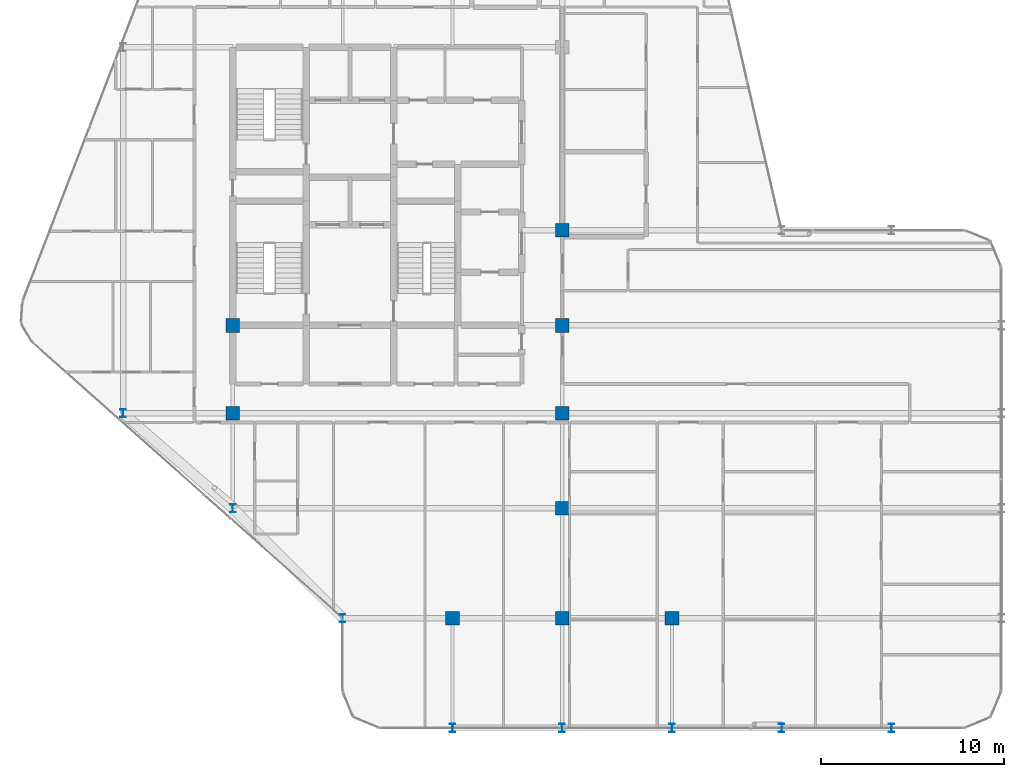
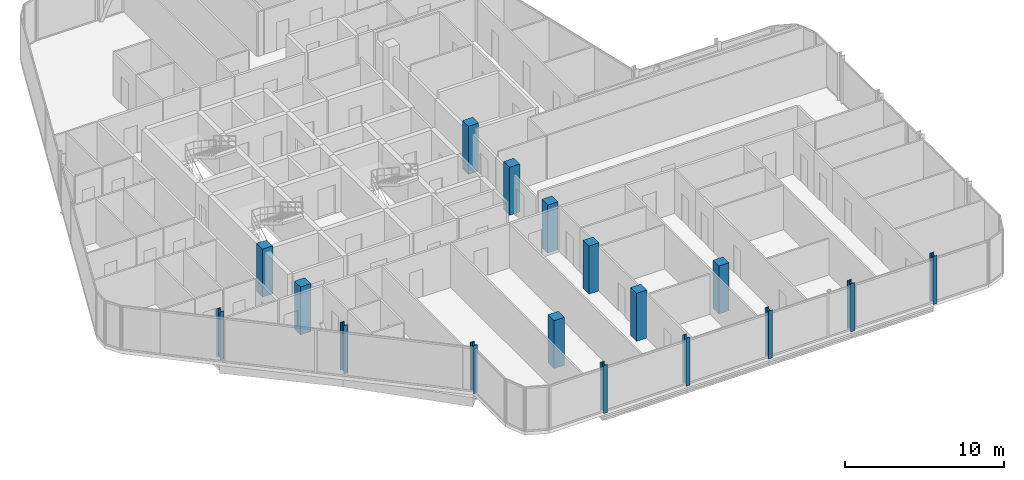
# One storey, part 1 of 29: 17 columns.
"""IFC4 building model written with IfcOpenShell, lengths in metres."""

from ifc_helpers import new_model, si_unit, direction, frame, origin, origin_2d, place, context, subcontext, project, spatial, rectangle, i_section, extrude, material, material_profile, profile_set, type_object, element, save


model = new_model("IFC4")

# Units and contexts
model_context = context("Model", 3, precision=1e-05, world=origin(), true_north=direction((0.0, 1.0)))
body_context = subcontext(model_context, "Body", "Model", "MODEL_VIEW")
ifc_project = project(units=[si_unit("LENGTHUNIT", "METRE"), si_unit("AREAUNIT", "SQUARE_METRE"), si_unit("VOLUMEUNIT", "CUBIC_METRE"), si_unit("PLANEANGLEUNIT", "RADIAN"), si_unit("MASSUNIT", "GRAM", prefix="KILO")], contexts=[model_context])

# Site, building, storey
site_placement = place(None, origin())
site = spatial("IfcSite", under=ifc_project, at=site_placement, CompositionType="ELEMENT")
building_placement = place(site_placement, origin())
building = spatial("IfcBuilding", under=site, at=building_placement, Name="Keshet Zoharim Tower", CompositionType="ELEMENT")
storey_placement = place(building_placement, frame((0.0, 0.0, 230.199951171875)))
storey = spatial("IfcBuildingStorey", under=building, at=storey_placement, Name="L57", CompositionType="ELEMENT", Elevation=230.199951171875)

# Columns
ifc_material_1 = material(Name="Steel S355", Category="steel")
ifc_material_profile_1 = material_profile(ifc_material_1, i_section(OverallWidth=0.300048828125, OverallDepth=0.449951171875, WebThickness=0.013916015625, FlangeThickness=0.02587890625, FilletRadius=0.027099609375, at=origin_2d()), Name="HEB450")
ifc_profile_set_1 = profile_set([ifc_material_profile_1], Name="Steel S355")
column_type_1 = type_object("IfcColumnType", Name="COL-HEB450", PredefinedType="COLUMN", material=ifc_profile_set_1)
for number, where, z_axis, x_axis, name in (
    (1, (9.0, 17.89990234375, 0.0), (0.0, 0.0, 1.0), (1.0, 0.0, 0.0), "L57 Column 2D"),
    (2, (15.0, 12.699951171875, 0.0), (0.0, 0.0, 1.0), (1.0, 0.0, 0.0), "L57 Column 3C"),
    (3, (21.0, 6.699951171875, 0.0), (0.0, 0.0, 1.0), (1.0, 0.0, 0.0), "L57 Column 4B"),
    (4, (27.0, 0.699951171875, 0.0), (0.0, 0.0, 1.0), (1.0, 0.0, 0.0), "L57 Column 5A"),
    (5, (33.0, 0.699951171875, 0.0), (0.0, 0.0, 1.0), (1.0, 0.0, 0.0), "L57 Column 6A"),
    (6, (39.0, 0.699951171875, 0.0), (0.0, 0.0, 1.0), (1.0, 0.0, 0.0), "L57 Column 7A"),
    (7, (45.0, 0.699951171875, 0.0), (0.0, 0.0, 1.0), (1.0, 0.0, 0.0), "L57 Column 8A"),
    (8, (51.0, 0.699951171875, 0.0), (0.0, 0.0, 1.0), (1.0, 0.0, 0.0), "L57 Column 9A"),
):
    element("IfcColumn", number, at=place(storey_placement, frame(where, z_axis=z_axis, x_axis=x_axis)), inside=storey, type_object=column_type_1, Name=name, PredefinedType="COLUMN", context=body_context, shape_type="SweptSolid", body=[
        extrude(i_section(OverallWidth=0.300048828125, OverallDepth=0.449951171875, WebThickness=0.013916015625, FlangeThickness=0.02587890625, FilletRadius=0.027099609375, at=origin_2d()), origin(), (0.0, 0.0, 1.0), 3.699951171875),
    ])
ifc_material_2 = material(Name="Concrete C50/60", Category="concrete")
ifc_material_profile_2 = material_profile(ifc_material_2, rectangle(XDim=0.75, YDim=0.75, at=origin_2d()), Name="RC750x750")
ifc_profile_set_2 = profile_set([ifc_material_profile_2], Name="Concrete C50/60")
column_type_2 = type_object("IfcColumnType", Name="COL-RC750", PredefinedType="COLUMN", material=ifc_profile_set_2)
for number, where, z_axis, x_axis, name in (
    (9, (15.0, 17.89990234375, 0.0), (0.0, 0.0, 1.0), (1.0, 0.0, 0.0), "L57 Column 3D"),
    (10, (15.0, 22.699951171875, 0.0), (0.0, 0.0, 1.0), (1.0, 0.0, 0.0), "L57 Column 3E"),
    (11, (27.0, 6.699951171875, 0.0), (0.0, 0.0, 1.0), (1.0, 0.0, 0.0), "L57 Column 5B"),
    (12, (33.0, 6.699951171875, 0.0), (0.0, 0.0, 1.0), (1.0, 0.0, 0.0), "L57 Column 6B"),
    (13, (33.0, 12.699951171875, 0.0), (0.0, 0.0, 1.0), (1.0, 0.0, 0.0), "L57 Column 6C"),
    (14, (33.0, 17.89990234375, 0.0), (0.0, 0.0, 1.0), (1.0, 0.0, 0.0), "L57 Column 6D"),
    (15, (33.0, 22.699951171875, 0.0), (0.0, 0.0, 1.0), (1.0, 0.0, 0.0), "L57 Column 6E"),
    (16, (33.0, 27.89990234375, 0.0), (0.0, 0.0, 1.0), (1.0, 0.0, 0.0), "L57 Column 6F"),
    (17, (39.0, 6.699951171875, 0.0), (0.0, 0.0, 1.0), (1.0, 0.0, 0.0), "L57 Column 7B"),
):
    element("IfcColumn", number, at=place(storey_placement, frame(where, z_axis=z_axis, x_axis=x_axis)), inside=storey, type_object=column_type_2, Name=name, PredefinedType="COLUMN", context=body_context, shape_type="SweptSolid", body=[
        extrude(rectangle(XDim=0.75, YDim=0.75, at=origin_2d()), origin(), (0.0, 0.0, 1.0), 3.699951171875),
    ])

save(model, "model.ifc")
